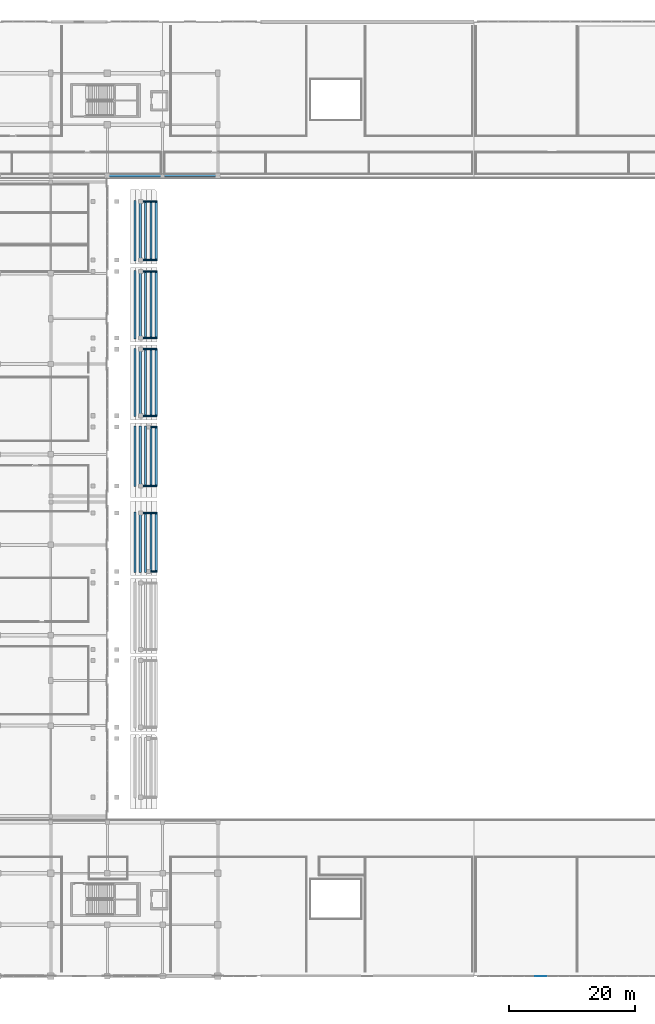
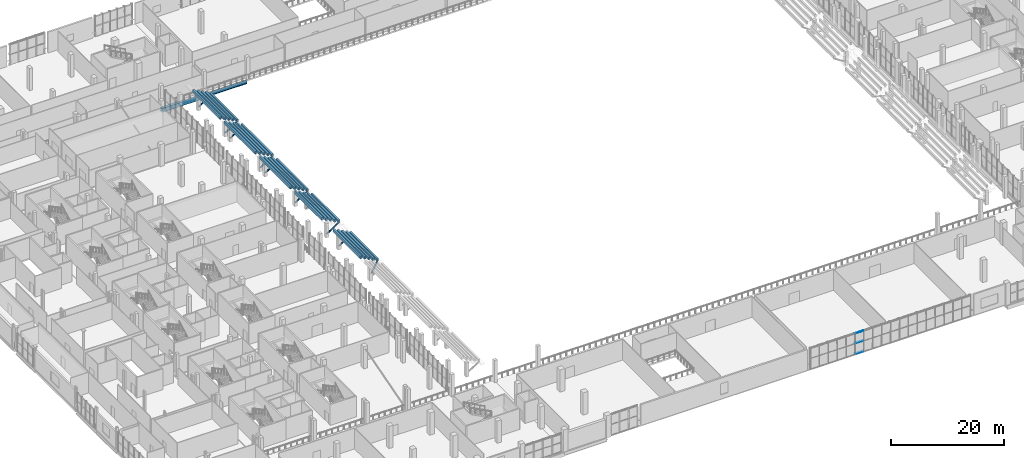
# One storey, part 38 of 142: 27 beams, 13 members, 1 element without a shape of its own.
"""IFC4 building model written with IfcOpenShell, lengths in metres."""

from ifc_helpers import new_model, si_unit, direction, frame, origin, origin_2d, place, context, subcontext, project, spatial, rectangle, hollow_circle, i_section, extrude, material, material_profile, profile_set, type_object, element, aggregate, save


model = new_model("IFC4")

# Units and contexts
model_context = context("Model", 3, precision=1e-05, world=origin(), true_north=direction((0.0, 1.0)))
body_context = subcontext(model_context, "Body", "Model", "MODEL_VIEW")
ifc_project = project(units=[si_unit("LENGTHUNIT", "METRE"), si_unit("AREAUNIT", "SQUARE_METRE"), si_unit("VOLUMEUNIT", "CUBIC_METRE"), si_unit("PLANEANGLEUNIT", "RADIAN"), si_unit("MASSUNIT", "GRAM", prefix="KILO")], contexts=[model_context])

# Site, building, storey
site_placement = place(None, origin())
site = spatial("IfcSite", under=ifc_project, at=site_placement, CompositionType="ELEMENT")
building_placement = place(site_placement, origin())
building = spatial("IfcBuilding", under=site, at=building_placement, Name="Koshinbarg Plaza Stadium", CompositionType="ELEMENT")
storey_placement = place(building_placement, frame((0.0, 0.0, 10.199951171875)))
storey = spatial("IfcBuildingStorey", under=building, at=storey_placement, Name="L02", CompositionType="ELEMENT", Elevation=10.199951171875)

# Beams
ifc_material_1 = material(Name="Concrete C40/50", Category="concrete")
ifc_material_profile_1 = material_profile(ifc_material_1, rectangle(XDim=0.35009765625, YDim=0.60009765625, at=origin_2d()), Name="RC 350x600")
ifc_profile_set_1 = profile_set([ifc_material_profile_1], Name="Concrete C40/50")
beam_type_1 = type_object("IfcBeamType", Name="BM-RCG-01", PredefinedType="SPANDREL", material=ifc_profile_set_1)
for number, where, z_axis, x_axis, name in (
    (1, (71.3798828125, 64.300048828125, 2.52001953125), (0.0, 1.0, 0.0), (-1.0, 0.0, 0.0), "Upper tier seat bearer UT-W04-R01"),
    (2, (70.530029296875, 64.300048828125, 2.9599609375), (0.0, 1.0, 0.0), (-1.0, 0.0, 0.0), "Upper tier seat bearer UT-W04-R02"),
    (3, (69.679931640625, 64.300048828125, 3.400146484375), (0.0, 1.0, 0.0), (-1.0, 0.0, 0.0), "Upper tier seat bearer UT-W04-R03"),
    (4, (68.830078125, 64.300048828125, 3.840087890625), (0.0, 1.0, 0.0), (-1.0, 0.0, 0.0), "Upper tier seat bearer UT-W04-R04"),
    (5, (67.97998046875, 64.300048828125, 4.280029296875), (0.0, 1.0, 0.0), (-1.0, 0.0, 0.0), "Upper tier seat bearer UT-W04-R05"),
):
    element("IfcBeam", number, at=place(storey_placement, frame(where, z_axis=z_axis, x_axis=x_axis)), inside=storey, type_object=beam_type_1, Name=name, PredefinedType="SPANDREL", context=body_context, shape_type="SweptSolid", body=[
        extrude(rectangle(XDim=0.35009765625, YDim=0.60009765625, at=origin_2d()), origin(), (0.0, 0.0, 1.0), 9.64990234375),
    ])
for number, where, z_axis, x_axis, name in (
    (6, (71.3798828125, 77.949951171875, 2.52001953125), (0.0, 1.0, 0.0), (-1.0, 0.0, 0.0), "Upper tier seat bearer UT-W05-R01"),
    (7, (70.530029296875, 77.949951171875, 2.9599609375), (0.0, 1.0, 0.0), (-1.0, 0.0, 0.0), "Upper tier seat bearer UT-W05-R02"),
    (8, (69.679931640625, 77.949951171875, 3.400146484375), (0.0, 1.0, 0.0), (-1.0, 0.0, 0.0), "Upper tier seat bearer UT-W05-R03"),
    (9, (68.830078125, 77.949951171875, 3.840087890625), (0.0, 1.0, 0.0), (-1.0, 0.0, 0.0), "Upper tier seat bearer UT-W05-R04"),
    (10, (67.97998046875, 77.949951171875, 4.280029296875), (0.0, 1.0, 0.0), (-1.0, 0.0, 0.0), "Upper tier seat bearer UT-W05-R05"),
):
    element("IfcBeam", number, at=place(storey_placement, frame(where, z_axis=z_axis, x_axis=x_axis)), inside=storey, type_object=beam_type_1, Name=name, PredefinedType="SPANDREL", context=body_context, shape_type="SweptSolid", body=[
        extrude(rectangle(XDim=0.35009765625, YDim=0.60009765625, at=origin_2d()), origin(), (0.0, 0.0, 1.0), 9.650146484375),
    ])
for number, where, z_axis, x_axis, name in (
    (11, (71.3798828125, 89.10009765625, 2.52001953125), (0.0, 1.0, 0.0), (-1.0, 0.0, 0.0), "Upper tier seat bearer UT-W06-R01"),
    (12, (70.530029296875, 89.10009765625, 2.9599609375), (0.0, 1.0, 0.0), (-1.0, 0.0, 0.0), "Upper tier seat bearer UT-W06-R02"),
    (13, (69.679931640625, 89.10009765625, 3.400146484375), (0.0, 1.0, 0.0), (-1.0, 0.0, 0.0), "Upper tier seat bearer UT-W06-R03"),
    (14, (68.830078125, 89.10009765625, 3.840087890625), (0.0, 1.0, 0.0), (-1.0, 0.0, 0.0), "Upper tier seat bearer UT-W06-R04"),
    (15, (67.97998046875, 89.10009765625, 4.280029296875), (0.0, 1.0, 0.0), (-1.0, 0.0, 0.0), "Upper tier seat bearer UT-W06-R05"),
    (16, (71.3798828125, 101.5, 2.52001953125), (0.0, 1.0, 0.0), (-1.0, 0.0, 0.0), "Upper tier seat bearer UT-W07-R01"),
    (17, (70.530029296875, 101.5, 2.9599609375), (0.0, 1.0, 0.0), (-1.0, 0.0, 0.0), "Upper tier seat bearer UT-W07-R02"),
    (18, (69.679931640625, 101.5, 3.400146484375), (0.0, 1.0, 0.0), (-1.0, 0.0, 0.0), "Upper tier seat bearer UT-W07-R03"),
    (19, (68.830078125, 101.5, 3.840087890625), (0.0, 1.0, 0.0), (-1.0, 0.0, 0.0), "Upper tier seat bearer UT-W07-R04"),
    (20, (67.97998046875, 101.5, 4.280029296875), (0.0, 1.0, 0.0), (-1.0, 0.0, 0.0), "Upper tier seat bearer UT-W07-R05"),
):
    element("IfcBeam", number, at=place(storey_placement, frame(where, z_axis=z_axis, x_axis=x_axis)), inside=storey, type_object=beam_type_1, Name=name, PredefinedType="SPANDREL", context=body_context, shape_type="SweptSolid", body=[
        extrude(rectangle(XDim=0.35009765625, YDim=0.60009765625, at=origin_2d()), origin(), (0.0, 0.0, 1.0), 10.89990234375),
    ])
for number, where, z_axis, x_axis, name in (
    (21, (71.3798828125, 113.89990234375, 2.52001953125), (0.0, 1.0, 0.0), (-1.0, 0.0, 0.0), "Upper tier seat bearer UT-W08-R01"),
    (22, (70.530029296875, 113.89990234375, 2.9599609375), (0.0, 1.0, 0.0), (-1.0, 0.0, 0.0), "Upper tier seat bearer UT-W08-R02"),
    (23, (69.679931640625, 113.89990234375, 3.400146484375), (0.0, 1.0, 0.0), (-1.0, 0.0, 0.0), "Upper tier seat bearer UT-W08-R03"),
    (24, (68.830078125, 113.89990234375, 3.840087890625), (0.0, 1.0, 0.0), (-1.0, 0.0, 0.0), "Upper tier seat bearer UT-W08-R04"),
    (25, (67.97998046875, 113.89990234375, 4.280029296875), (0.0, 1.0, 0.0), (-1.0, 0.0, 0.0), "Upper tier seat bearer UT-W08-R05"),
):
    element("IfcBeam", number, at=place(storey_placement, frame(where, z_axis=z_axis, x_axis=x_axis)), inside=storey, type_object=beam_type_1, Name=name, PredefinedType="SPANDREL", context=body_context, shape_type="SweptSolid", body=[
        extrude(rectangle(XDim=0.35009765625, YDim=0.60009765625, at=origin_2d()), origin(), (0.0, 0.0, 1.0), 9.650146484375),
    ])
ifc_material_profile_2 = material_profile(ifc_material_1, rectangle(XDim=0.5, YDim=0.85009765625, at=origin_2d()), Name="RC 500x850")
ifc_profile_set_2 = profile_set([ifc_material_profile_2], Name="Concrete C40/50")
beam_type_2 = type_object("IfcBeamType", Name="BM-RCG-05", PredefinedType="USERDEFINED", material=ifc_profile_set_2)
beam_1_placement = place(storey_placement, frame((63.659912109375, 127.5, -0.724853515625), z_axis=(1.0, 0.0, 0.0), x_axis=(0.0, 1.0, 0.0)))
element("IfcBeam", 26, at=beam_1_placement, inside=storey, type_object=beam_type_2, Name="L02 X girder S/9-10", ObjectType="GIRDER", PredefinedType="USERDEFINED", context=body_context, shape_type="SweptSolid", body=[
    extrude(rectangle(XDim=0.5, YDim=0.85009765625, at=origin_2d()), origin(), (0.0, 0.0, 1.0), 8.68017578125),
])
ifc_material_2 = material(Name="Steel S355", Category="steel")
ifc_material_profile_3 = material_profile(ifc_material_2, i_section(OverallWidth=0.300048828125, OverallDepth=0.800048828125, WebThickness=0.017578125, FlangeThickness=0.032958984375, at=origin_2d()), Name="HEB 800")
ifc_profile_set_3 = profile_set([ifc_material_profile_3], Name="Steel S355")
beam_type_3 = type_object("IfcBeamType", Name="BM-SGIR-04", PredefinedType="USERDEFINED", material=ifc_profile_set_3)
beam_2_placement = place(storey_placement, frame((72.4599609375, 127.5, -0.699951171875), z_axis=(1.0, 0.0, 0.0), x_axis=(0.0, 1.0, 0.0)))
element("IfcBeam", 27, at=beam_2_placement, inside=storey, type_object=beam_type_3, Name="L02 X girder S/10-11", ObjectType="GIRDER", PredefinedType="USERDEFINED", context=body_context, shape_type="SweptSolid", body=[
    extrude(i_section(OverallWidth=0.300048828125, OverallDepth=0.800048828125, WebThickness=0.017578125, FlangeThickness=0.032958984375, at=origin_2d()), origin(), (0.0, 0.0, 1.0), 8.679931640625),
])

# Curtain wall, members
ifc_material_3 = material(Name="Thermally broken anodised aluminium and low-E double glazing", Category="aluminium")
curtain_wall_type = type_object("IfcCurtainWallType", Name="CW-SYS-02", PredefinedType="NOTDEFINED", material=ifc_material_3)
curtain_wall_placement = place(storey_placement, origin())
curtain_wall = element("IfcCurtainWall", 28, at=curtain_wall_placement, inside=storey, type_object=curtain_wall_type, Name="L02 unitised curtain wall CW-L02-065", PredefinedType="NOTDEFINED")
ifc_material_4 = material(Name="Anodised aluminium transom", Category="aluminium")
ifc_material_profile_4 = material_profile(ifc_material_4, rectangle(XDim=0.06005859375, YDim=0.1298828125, at=origin_2d()), Name="ALU 60x130")
ifc_profile_set_4 = profile_set([ifc_material_profile_4], Name="Anodised aluminium transom")
member_type_1 = type_object("IfcMemberType", Name="CW-TRN-02", PredefinedType="USERDEFINED", material=ifc_profile_set_4)
member_1_placement = place(storey_placement, frame((133.510009765625, 0.0, 0.030029296875), z_axis=(-1.0, 0.0, 0.0), x_axis=(0.0, -1.0, 0.0)))
member_1 = element("IfcMember", 29, at=member_1_placement, type_object=member_type_1, Name="CW02 transom 13.1", ObjectType="TRANSOM", PredefinedType="USERDEFINED", context=body_context, shape_type="SweptSolid", body=[
    extrude(rectangle(XDim=0.06005859375, YDim=0.1298828125, at=origin_2d()), origin(), (0.0, 0.0, 1.0), 1.760009765625),
])
member_2_placement = place(storey_placement, frame((133.510009765625, 0.0, 2.32958984375), z_axis=(-1.0, 0.0, 0.0), x_axis=(0.0, -1.0, 0.0)))
member_2 = element("IfcMember", 30, at=member_2_placement, type_object=member_type_1, Name="CW02 transom 13.2", ObjectType="TRANSOM", PredefinedType="USERDEFINED", context=body_context, shape_type="SweptSolid", body=[
    extrude(rectangle(XDim=0.06005859375, YDim=0.1298828125, at=origin_2d()), origin(), (0.0, 0.0, 1.0), 1.760009765625),
])
member_3_placement = place(storey_placement, frame((133.510009765625, 0.0, 4.449951171875), z_axis=(-1.0, 0.0, 0.0), x_axis=(0.0, -1.0, 0.0)))
member_3 = element("IfcMember", 31, at=member_3_placement, type_object=member_type_1, Name="CW02 transom 13.3", ObjectType="TRANSOM", PredefinedType="USERDEFINED", context=body_context, shape_type="SweptSolid", body=[
    extrude(rectangle(XDim=0.06005859375, YDim=0.1298828125, at=origin_2d()), origin(), (0.0, 0.0, 1.0), 1.760009765625),
])
aggregate(curtain_wall, [member_1, member_2, member_3])

# Members
ifc_material_profile_5 = material_profile(ifc_material_2, hollow_circle(Radius=0.161865234375, WallThickness=0.01416015625, at=origin_2d()), Name="CHS 323.9x14.2")
ifc_profile_set_5 = profile_set([ifc_material_profile_5], Name="Steel S355")
member_type_2 = type_object("IfcMemberType", Name="MB-BRACE-01", PredefinedType="BRACE", material=ifc_profile_set_5)
member_4_placement = place(storey_placement, frame((70.169921875, 64.449951171875, -0.061279296875), z_axis=(0.486236612152, 0.0, 0.873827189439), x_axis=(0.0, 1.0, 0.0)))
element("IfcMember", 32, at=member_4_placement, inside=storey, type_object=member_type_2, Name="Upper tier cantilever knee strut UT-W04-L", PredefinedType="BRACE", context=body_context, shape_type="SweptSolid", body=[
    extrude(hollow_circle(Radius=0.161865234375, WallThickness=0.01416015625, at=origin_2d()), origin(), (0.0, 0.0, 1.0), 2.653076171875),
])
for number, where, z_axis, x_axis, name in (
    (33, (68.919921875, 73.800048828125, 0.582763671875), (0.8349280335, 0.0, 0.550359136269), (0.0, 1.0, 0.0), "Upper tier cantilever knee strut UT-W04-R"),
    (34, (68.919921875, 78.10009765625, 0.582763671875), (0.8349280335, 0.0, 0.550359136269), (0.0, 1.0, 0.0), "Upper tier cantilever knee strut UT-W05-L"),
):
    element("IfcMember", number, at=place(storey_placement, frame(where, z_axis=z_axis, x_axis=x_axis)), inside=storey, type_object=member_type_2, Name=name, PredefinedType="BRACE", context=body_context, shape_type="SweptSolid", body=[
        extrude(hollow_circle(Radius=0.161865234375, WallThickness=0.01416015625, at=origin_2d()), origin(), (0.0, 0.0, 1.0), 3.042236328125),
    ])
member_5_placement = place(storey_placement, frame((70.169921875, 87.449951171875, -0.061279296875), z_axis=(0.486236612152, 0.0, 0.873827189439), x_axis=(0.0, 1.0, 0.0)))
element("IfcMember", 35, at=member_5_placement, inside=storey, type_object=member_type_2, Name="Upper tier cantilever knee strut UT-W05-R", PredefinedType="BRACE", context=body_context, shape_type="SweptSolid", body=[
    extrude(hollow_circle(Radius=0.161865234375, WallThickness=0.01416015625, at=origin_2d()), origin(), (0.0, 0.0, 1.0), 2.653076171875),
])
for number, where, z_axis, x_axis, name in (
    (36, (68.919921875, 89.25, 0.582763671875), (0.8349280335, 0.0, 0.550359136269), (0.0, 1.0, 0.0), "Upper tier cantilever knee strut UT-W06-L"),
    (37, (68.919921875, 99.85009765625, 0.582763671875), (0.8349280335, 0.0, 0.550359136269), (0.0, 1.0, 0.0), "Upper tier cantilever knee strut UT-W06-R"),
    (38, (68.919921875, 101.64990234375, 0.582763671875), (0.8349280335, 0.0, 0.550359136269), (0.0, 1.0, 0.0), "Upper tier cantilever knee strut UT-W07-L"),
    (39, (68.919921875, 112.25, 0.582763671875), (0.8349280335, 0.0, 0.550359136269), (0.0, 1.0, 0.0), "Upper tier cantilever knee strut UT-W07-R"),
    (40, (68.919921875, 114.050048828125, 0.582763671875), (0.8349280335, 0.0, 0.550359136269), (0.0, 1.0, 0.0), "Upper tier cantilever knee strut UT-W08-L"),
    (41, (68.919921875, 123.39990234375, 0.582763671875), (0.8349280335, 0.0, 0.550359136269), (0.0, 1.0, 0.0), "Upper tier cantilever knee strut UT-W08-R"),
):
    element("IfcMember", number, at=place(storey_placement, frame(where, z_axis=z_axis, x_axis=x_axis)), inside=storey, type_object=member_type_2, Name=name, PredefinedType="BRACE", context=body_context, shape_type="SweptSolid", body=[
        extrude(hollow_circle(Radius=0.161865234375, WallThickness=0.01416015625, at=origin_2d()), origin(), (0.0, 0.0, 1.0), 3.042236328125),
    ])

save(model, "model.ifc")
